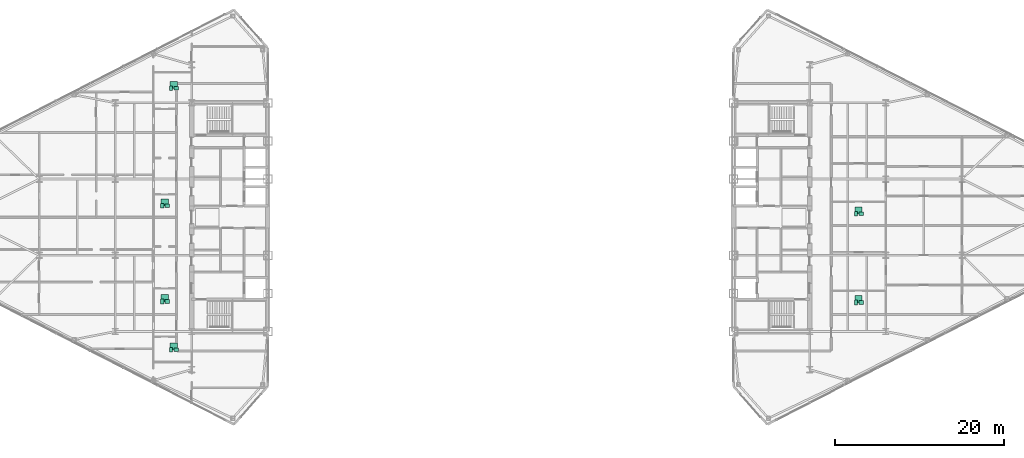
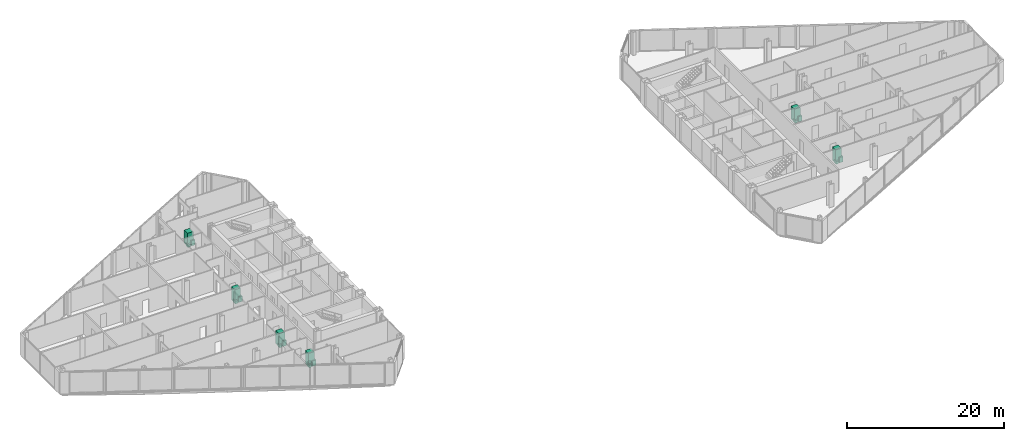
# One storey, part 23 of 23: 18 sanitary terminals.
"""IFC4 building model written with IfcOpenShell, lengths in metres."""

from ifc_helpers import new_model, si_unit, direction, frame, origin, origin_2d, place, context, subcontext, project, spatial, rectangle, extrude, source, transform, mapped, material, type_object, type_shapes, element, save


model = new_model("IFC4")

# Units and contexts
model_context = context("Model", 3, precision=1e-05, world=origin(), true_north=direction((0.0, 1.0)))
body_context = subcontext(model_context, "Body", "Model", "MODEL_VIEW")
ifc_project = project(units=[si_unit("LENGTHUNIT", "METRE"), si_unit("AREAUNIT", "SQUARE_METRE"), si_unit("VOLUMEUNIT", "CUBIC_METRE"), si_unit("PLANEANGLEUNIT", "RADIAN"), si_unit("MASSUNIT", "GRAM", prefix="KILO")], contexts=[model_context])

# Site, building, storey
site_placement = place(None, origin())
site = spatial("IfcSite", under=ifc_project, at=site_placement, CompositionType="ELEMENT")
building_placement = place(site_placement, origin())
building = spatial("IfcBuilding", under=site, at=building_placement, Name="Seokmaru Belvedere", CompositionType="ELEMENT")
storey_placement = place(building_placement, frame((0.0, 0.0, 147.60009765625)))
storey = spatial("IfcBuildingStorey", under=building, at=storey_placement, Name="L39", CompositionType="ELEMENT", Elevation=147.60009765625)

# Sanitary terminals
ifc_material_1 = material(Name="Vitreous China Sanitaryware")
sanitary_terminal_type_1 = type_object("IfcSanitaryTerminalType", Name="Wall-Hung Vitreous China WC Pan", PredefinedType="TOILETPAN", material=ifc_material_1)
shared_shape_1 = source(origin(), body_context, "Body", "SweptSolid", [
    extrude(rectangle(XDim=0.3798828125, YDim=0.56005859375, at=origin_2d()), origin(), (0.0, 0.0, 1.0), 0.419921875),
])
type_shapes(sanitary_terminal_type_1, [shared_shape_1])
for number, where, z_axis, x_axis, name in (
    (1, (-38.9169921875, -15.6669921875, 0.0), (0.0, 0.0, 1.0), (1.0, 0.0, 0.0), "L39 Vitreous China WC 0214"),
    (2, (-39.97509765625, -9.947998046875, 0.0), (0.0, 0.0, 1.0), (1.0, 0.0, 0.0), "L39 Vitreous China WC 0215"),
    (3, (-39.97509765625, 1.34912109375, 0.0), (0.0, 0.0, 1.0), (1.0, 0.0, 0.0), "L39 Vitreous China WC 0216"),
    (4, (-38.9169921875, 15.23193359375, 0.0), (0.0, 0.0, 1.0), (1.0, 0.0, 0.0), "L39 Vitreous China WC 0217"),
    (5, (41.97509765625, -10.083984375, 0.0), (0.0, 0.0, 1.0), (1.0, 0.0, 0.0), "L39 Vitreous China WC 0218"),
    (6, (41.97509765625, 0.416015625, 0.0), (0.0, 0.0, 1.0), (1.0, 0.0, 0.0), "L39 Vitreous China WC 0219"),
):
    element("IfcSanitaryTerminal", number, at=place(storey_placement, frame(where, z_axis=z_axis, x_axis=x_axis)), inside=storey, type_object=sanitary_terminal_type_1, Name=name, PredefinedType="TOILETPAN", context=body_context, shape_type="MappedRepresentation", body=[
        mapped(shared_shape_1, transform((0.0, 0.0, 0.0), scale=1.0)),
    ])
sanitary_terminal_type_2 = type_object("IfcSanitaryTerminalType", Name="Countertop Ceramic Washhand Basin", PredefinedType="WASHHANDBASIN", material=ifc_material_1)
shared_shape_2 = source(origin(), body_context, "Body", "SweptSolid", [
    extrude(rectangle(XDim=0.550048828125, YDim=0.449951171875, at=origin_2d()), origin(), (0.0, 0.0, 1.0), 0.820068359375),
])
type_shapes(sanitary_terminal_type_2, [shared_shape_2])
for number, where, z_axis, x_axis, name in (
    (7, (-38.31689453125, -15.6669921875, 0.0), (0.0, 0.0, 1.0), (1.0, 0.0, 0.0), "L39 Ceramic Washhand Basin 0214"),
    (8, (-39.375, -9.947998046875, 0.0), (0.0, 0.0, 1.0), (1.0, 0.0, 0.0), "L39 Ceramic Washhand Basin 0215"),
    (9, (-39.375, 1.34912109375, 0.0), (0.0, 0.0, 1.0), (1.0, 0.0, 0.0), "L39 Ceramic Washhand Basin 0216"),
    (10, (-38.31689453125, 15.23193359375, 0.0), (0.0, 0.0, 1.0), (1.0, 0.0, 0.0), "L39 Ceramic Washhand Basin 0217"),
    (11, (42.574951171875, -10.083984375, 0.0), (0.0, 0.0, 1.0), (1.0, 0.0, 0.0), "L39 Ceramic Washhand Basin 0218"),
    (12, (42.574951171875, 0.416015625, 0.0), (0.0, 0.0, 1.0), (1.0, 0.0, 0.0), "L39 Ceramic Washhand Basin 0219"),
):
    element("IfcSanitaryTerminal", number, at=place(storey_placement, frame(where, z_axis=z_axis, x_axis=x_axis)), inside=storey, type_object=sanitary_terminal_type_2, Name=name, PredefinedType="WASHHANDBASIN", context=body_context, shape_type="MappedRepresentation", body=[
        mapped(shared_shape_2, transform((0.0, 0.0, 0.0), scale=1.0)),
    ])
ifc_material_2 = material(Name="Stainless Steel 316", Category="steel")
sanitary_terminal_type_3 = type_object("IfcSanitaryTerminalType", Name="Walk-In Thermostatic Rain Shower Enclosure", PredefinedType="SHOWER", material=ifc_material_2)
shared_shape_3 = source(origin(), body_context, "Body", "SweptSolid", [
    extrude(rectangle(XDim=0.85009765625, YDim=0.85009765625, at=origin_2d()), origin(), (0.0, 0.0, 1.0), 2.050048828125),
])
type_shapes(sanitary_terminal_type_3, [shared_shape_3])
for number, where, z_axis, x_axis, name in (
    (13, (-38.616943359375, -15.287109375, 0.0), (0.0, 0.0, 1.0), (1.0, 0.0, 0.0), "L39 Walk-In Shower 0214"),
    (14, (-39.675048828125, -9.568115234375, 0.0), (0.0, 0.0, 1.0), (1.0, 0.0, 0.0), "L39 Walk-In Shower 0215"),
    (15, (-39.675048828125, 1.72900390625, 0.0), (0.0, 0.0, 1.0), (1.0, 0.0, 0.0), "L39 Walk-In Shower 0216"),
    (16, (-38.616943359375, 15.612060546875, 0.0), (0.0, 0.0, 1.0), (1.0, 0.0, 0.0), "L39 Walk-In Shower 0217"),
    (17, (42.27490234375, -9.7041015625, 0.0), (0.0, 0.0, 1.0), (1.0, 0.0, 0.0), "L39 Walk-In Shower 0218"),
    (18, (42.27490234375, 0.7958984375, 0.0), (0.0, 0.0, 1.0), (1.0, 0.0, 0.0), "L39 Walk-In Shower 0219"),
):
    element("IfcSanitaryTerminal", number, at=place(storey_placement, frame(where, z_axis=z_axis, x_axis=x_axis)), inside=storey, type_object=sanitary_terminal_type_3, Name=name, PredefinedType="SHOWER", context=body_context, shape_type="MappedRepresentation", body=[
        mapped(shared_shape_3, transform((0.0, 0.0, 0.0), scale=1.0)),
    ])

save(model, "model.ifc")
